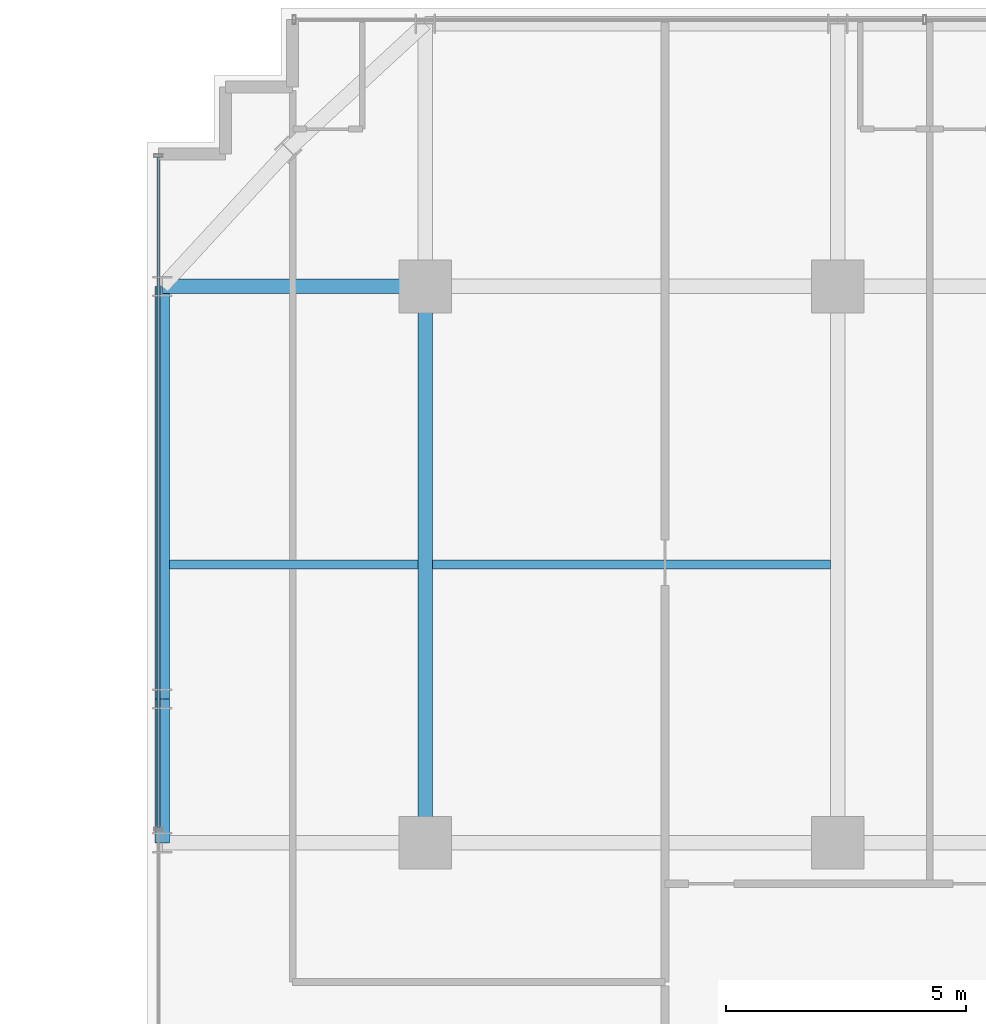
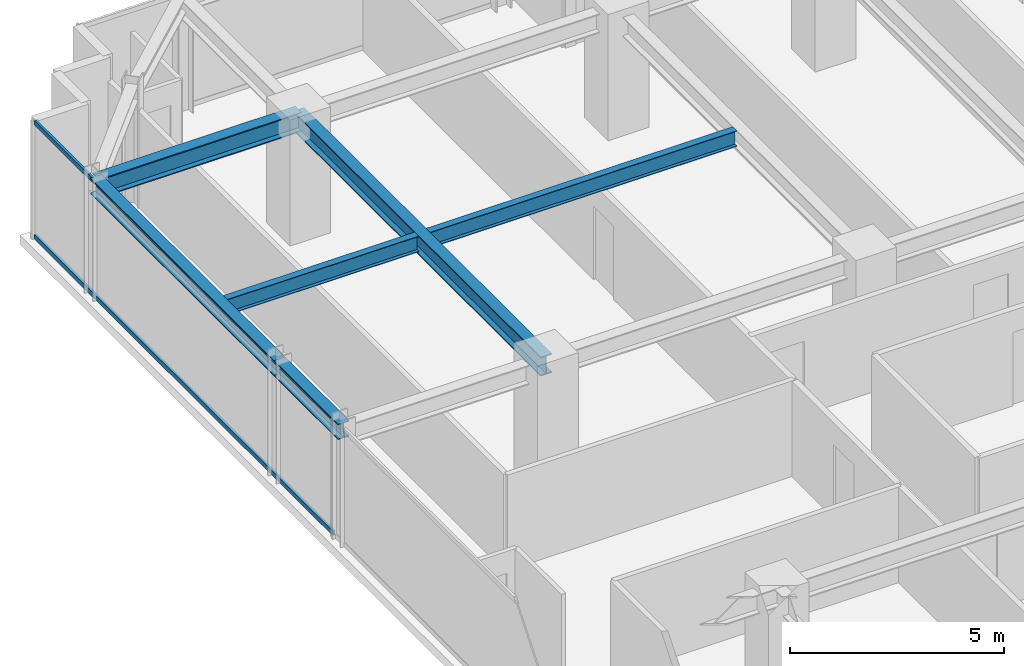
# One storey, part 17 of 31: 6 beams, 2 members, 1 element without a shape of its own.
"""IFC4 building model written with IfcOpenShell, lengths in metres."""

from ifc_helpers import new_model, si_unit, direction, frame, origin, origin_2d, place, context, subcontext, project, spatial, hollow_rectangle, i_section, extrude, source, transform, mapped, material, material_profile, profile_set, type_object, element, aggregate, save


model = new_model("IFC4")

# Units and contexts
model_context = context("Model", 3, precision=1e-05, world=origin(), true_north=direction((0.0, 1.0)))
body_context = subcontext(model_context, "Body", "Model", "MODEL_VIEW")
ifc_project = project(units=[si_unit("LENGTHUNIT", "METRE"), si_unit("AREAUNIT", "SQUARE_METRE"), si_unit("VOLUMEUNIT", "CUBIC_METRE"), si_unit("PLANEANGLEUNIT", "RADIAN"), si_unit("MASSUNIT", "GRAM", prefix="KILO")], contexts=[model_context])

# Site, building, storey
site_placement = place(None, origin())
site = spatial("IfcSite", under=ifc_project, at=site_placement, CompositionType="ELEMENT")
building_placement = place(site_placement, origin())
building = spatial("IfcBuilding", under=site, at=building_placement, Name="Nahalor Promenade Grand Hotel", CompositionType="ELEMENT")
storey_placement = place(building_placement, frame((0.0, 0.0, 156.300048828125)))
storey = spatial("IfcBuildingStorey", under=building, at=storey_placement, Name="L39", CompositionType="ELEMENT", Elevation=156.300048828125)

# Beams
ifc_material_1 = material(Name="Steel S355JR", Category="steel")
ifc_material_profile_1 = material_profile(ifc_material_1, i_section(OverallWidth=0.3, OverallDepth=0.55, WebThickness=0.015, FlangeThickness=0.029, at=origin_2d()), Name="HEB 550")
ifc_profile_set_1 = profile_set([ifc_material_profile_1], Name="Steel S355JR")
beam_type_1 = type_object("IfcBeamType", Name="Beam-Girder-HEB550", PredefinedType="BEAM", material=ifc_profile_set_1)
shared_shape_1 = source(origin(), body_context, "Body", "SweptSolid", [
    extrude(i_section(OverallWidth=0.3, OverallDepth=0.55, WebThickness=0.015, FlangeThickness=0.029, at=origin_2d()), origin(), (0.0, 0.0, 1.0), 11.60009765625),
])
beam_1_placement = place(storey_placement, frame((-17.0, 5.39990234375, 3.114990234375), z_axis=(0.0, 1.0, 0.0), x_axis=(-1.0, 0.0, 0.0)))
element("IfcBeam", 1, at=beam_1_placement, inside=storey, type_object=beam_type_1, Name="BM-L39-GY-0-3", PredefinedType="BEAM", context=body_context, shape_type="MappedRepresentation", body=[
    mapped(shared_shape_1, transform((0.0, 0.0, 0.0), scale=1.0)),
])
ifc_material_profile_2 = material_profile(ifc_material_1, i_section(OverallWidth=0.19, OverallDepth=0.45, WebThickness=0.0094, FlangeThickness=0.0146, at=origin_2d()), Name="IPE 450")
ifc_profile_set_2 = profile_set([ifc_material_profile_2], Name="Steel S355JR")
beam_type_2 = type_object("IfcBeamType", Name="Beam-Joist-IPE450", PredefinedType="JOIST", material=ifc_profile_set_2)
shared_shape_2 = source(origin(), body_context, "Body", "SweptSolid", [
    extrude(i_section(OverallWidth=0.19, OverallDepth=0.45, WebThickness=0.0094, FlangeThickness=0.0146, at=origin_2d()), origin(), (0.0, 0.0, 1.0), 8.300048828125),
])
beam_2_placement = place(storey_placement, frame((-16.85009765625, 11.199951171875, 3.1650390625), z_axis=(1.0, 0.0, 0.0), x_axis=(0.0, 1.0, 0.0)))
element("IfcBeam", 2, at=beam_2_placement, inside=storey, type_object=beam_type_2, Name="BM-L39-JSW-1-1", PredefinedType="JOIST", context=body_context, shape_type="MappedRepresentation", body=[
    mapped(shared_shape_2, transform((0.0, 0.0, 0.0), scale=1.0)),
])
shared_shape_3 = source(origin(), body_context, "Body", "SweptSolid", [
    extrude(i_section(OverallWidth=0.3, OverallDepth=0.55, WebThickness=0.015, FlangeThickness=0.029, at=origin_2d()), origin(), (0.0, 0.0, 1.0), 5.47998046875),
])
beam_3_placement = place(storey_placement, frame((-22.47998046875, 17.0, 3.114990234375), z_axis=(1.0, 0.0, 0.0), x_axis=(0.0, 1.0, 0.0)))
element("IfcBeam", 3, at=beam_3_placement, inside=storey, type_object=beam_type_1, Name="BM-L39-GX-3-0", PredefinedType="BEAM", context=body_context, shape_type="MappedRepresentation", body=[
    mapped(shared_shape_3, transform((0.0, 0.0, 0.0), scale=1.0)),
])
shared_shape_4 = source(origin(), body_context, "Body", "SweptSolid", [
    extrude(i_section(OverallWidth=0.19, OverallDepth=0.45, WebThickness=0.0094, FlangeThickness=0.0146, at=origin_2d()), origin(), (0.0, 0.0, 1.0), 5.18017578125),
])
beam_4_placement = place(storey_placement, frame((-22.330078125, 11.199951171875, 3.1650390625), z_axis=(1.0, 0.0, 0.0), x_axis=(0.0, 1.0, 0.0)))
element("IfcBeam", 4, at=beam_4_placement, inside=storey, type_object=beam_type_2, Name="BM-L39-JSW-1-0", PredefinedType="JOIST", context=body_context, shape_type="MappedRepresentation", body=[
    mapped(shared_shape_4, transform((0.0, 0.0, 0.0), scale=1.0)),
])
ifc_material_profile_3 = material_profile(ifc_material_1, i_section(OverallWidth=0.3, OverallDepth=0.45, WebThickness=0.014, FlangeThickness=0.026, at=origin_2d()), Name="HEB 450")
ifc_profile_set_3 = profile_set([ifc_material_profile_3], Name="Steel S355JR")
beam_type_3 = type_object("IfcBeamType", Name="Beam-Spandrel-HEB450", PredefinedType="SPANDREL", material=ifc_profile_set_3)
shared_shape_5 = source(origin(), body_context, "Body", "SweptSolid", [
    extrude(i_section(OverallWidth=0.3, OverallDepth=0.45, WebThickness=0.014, FlangeThickness=0.026, at=origin_2d()), origin(), (0.0, 0.0, 1.0), 8.60009765625),
])
beam_5_placement = place(storey_placement, frame((-22.47998046875, 8.39990234375, 3.1650390625), z_axis=(0.0, 1.0, 0.0), x_axis=(-1.0, 0.0, 0.0)))
element("IfcBeam", 5, at=beam_5_placement, inside=storey, type_object=beam_type_3, Name="BM-L39-SP-W-4", PredefinedType="SPANDREL", context=body_context, shape_type="MappedRepresentation", body=[
    mapped(shared_shape_5, transform((0.0, 0.0, 0.0), scale=1.0)),
])
shared_shape_6 = source(origin(), body_context, "Body", "SweptSolid", [
    extrude(i_section(OverallWidth=0.3, OverallDepth=0.45, WebThickness=0.014, FlangeThickness=0.026, at=origin_2d()), origin(), (0.0, 0.0, 1.0), 3.0),
])
beam_6_placement = place(storey_placement, frame((-22.47998046875, 5.39990234375, 3.1650390625), z_axis=(0.0, 1.0, 0.0), x_axis=(-1.0, 0.0, 0.0)))
element("IfcBeam", 6, at=beam_6_placement, inside=storey, type_object=beam_type_3, Name="BM-L39-SP-W-3", PredefinedType="SPANDREL", context=body_context, shape_type="MappedRepresentation", body=[
    mapped(shared_shape_6, transform((0.0, 0.0, 0.0), scale=1.0)),
])

# Curtain wall, members
ifc_material_2 = material(Name="Anodised Bronze Aluminium EN AW-6063 T6", Category="aluminium")
curtain_wall_type = type_object("IfcCurtainWallType", Name="CW2 Typical Hotel Flush Bronze Unitised Curtain Wall", PredefinedType="USERDEFINED", material=ifc_material_2)
curtain_wall_placement = place(storey_placement, origin())
curtain_wall = element("IfcCurtainWall", 7, at=curtain_wall_placement, inside=storey, type_object=curtain_wall_type, Name="L39 Curtain Wall CW-L39-W-3", ObjectType="UNITISED_CURTAIN_WALL", PredefinedType="USERDEFINED")
ifc_material_profile_4 = material_profile(ifc_material_2, hollow_rectangle(XDim=0.065, YDim=0.13, WallThickness=0.004, at=origin_2d()), Name="CWT 65x130x4")
ifc_profile_set_4 = profile_set([ifc_material_profile_4], Name="Anodised Bronze Aluminium EN AW-6063 T6")
member_type = type_object("IfcMemberType", Name="CWT2 Typical Bronze Transom 65x130", PredefinedType="USERDEFINED", material=ifc_profile_set_4)
shared_shape_7 = source(origin(), body_context, "Body", "SweptSolid", [
    extrude(hollow_rectangle(XDim=0.065, YDim=0.13, WallThickness=0.004, at=origin_2d()), origin(), (0.0, 0.0, 1.0), 13.982666015625),
])
member_1_placement = place(storey_placement, frame((-22.56005859375, 5.71240234375, 0.06494140625), z_axis=(0.0, 1.0, 0.0), x_axis=(-1.0, 0.0, 0.0)))
member_1 = element("IfcMember", 8, at=member_1_placement, type_object=member_type, Name="CW-L39-W-3 Transom 1-0", ObjectType="TRANSOM", PredefinedType="USERDEFINED", context=body_context, shape_type="MappedRepresentation", body=[
    mapped(shared_shape_7, transform((0.0, 0.0, 0.0), scale=1.0)),
])
member_2_placement = place(storey_placement, frame((-22.56005859375, 5.71240234375, 3.324951171875), z_axis=(0.0, 1.0, 0.0), x_axis=(-1.0, 0.0, 0.0)))
member_2 = element("IfcMember", 9, at=member_2_placement, type_object=member_type, Name="CW-L39-W-3 Transom 1-1", ObjectType="TRANSOM", PredefinedType="USERDEFINED", context=body_context, shape_type="MappedRepresentation", body=[
    mapped(shared_shape_7, transform((0.0, 0.0, 0.0), scale=1.0)),
])
aggregate(curtain_wall, [member_1, member_2])

save(model, "model.ifc")
